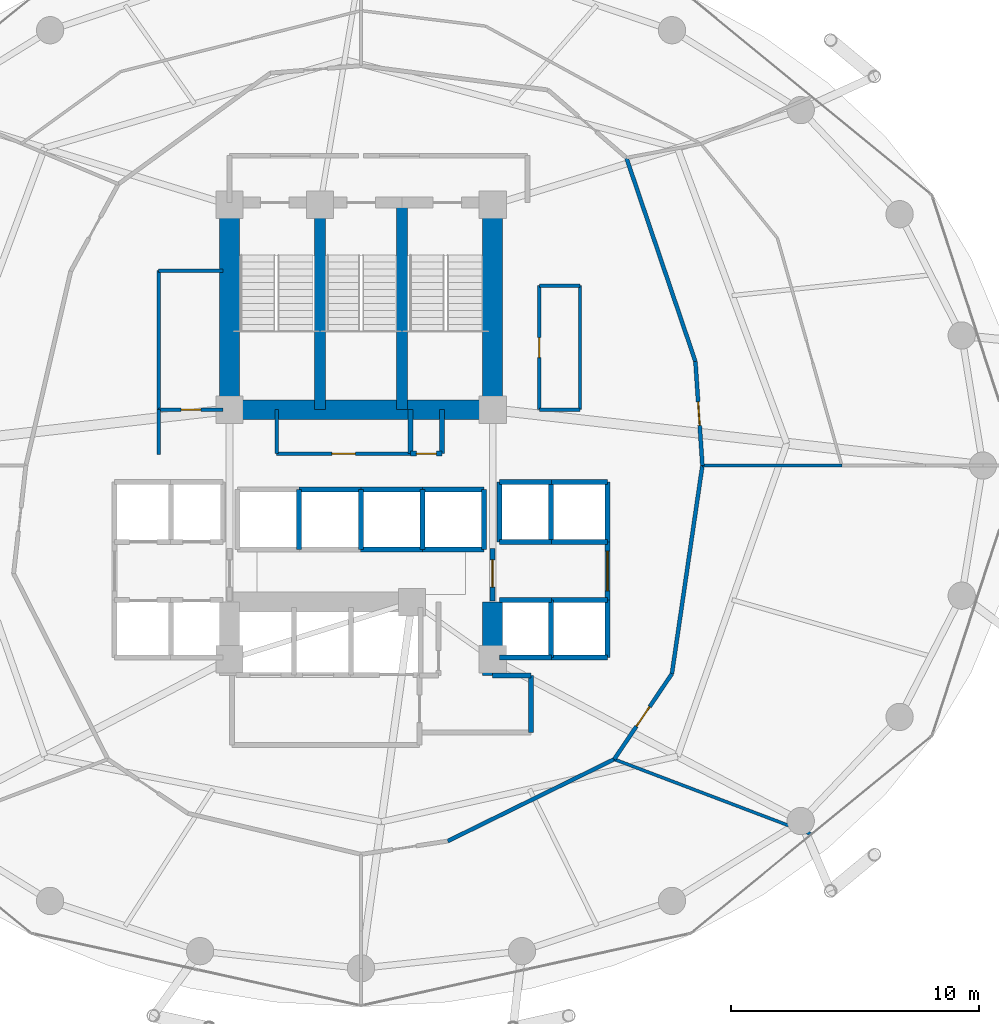
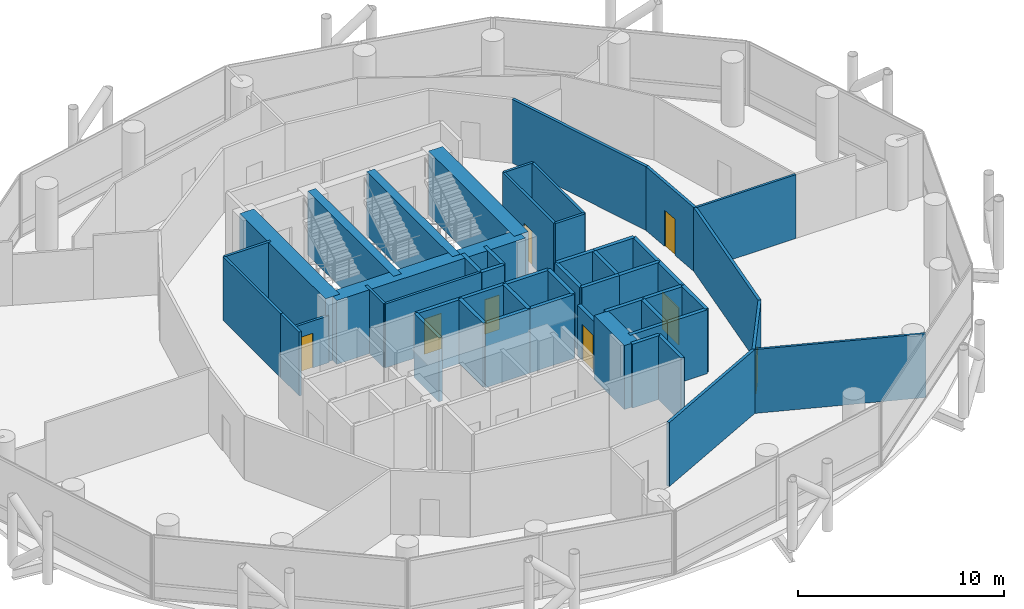
# One storey, part 22 of 25: 52 walls, 8 doors, 8 openings.
"""IFC4 building model written with IfcOpenShell, lengths in metres."""

import ifcopenshell
import ifcopenshell.guid

model = None  # the IFC model being written
_history = None  # IfcOwnerHistory: only IFC2X3 demands one
_inside = {}  # id of a spatial element -> (the spatial element, [elements in it])
_under = {}  # id of a project, library or spatial element -> (it, [spatial elements below it])
_declared = {}  # id of a project -> (the project, [libraries it declares])
_typed = {}  # id of a type object -> (the type object, [elements of that type])
_made_of = {}  # id of a material, layer set ... -> (it, [elements and type objects made of it])


def new_model(schema):
    """Start an empty IFC model of exactly this schema.

    Asked for "IFC4X3", IfcOpenShell would pick the latest addendum, in which some entities
    have other attributes; the version numbers below select the first issue.
    IFC2X3 requires an IfcOwnerHistory on every rooted entity: one is made here for all.
    """
    global model, _history
    if schema == "IFC4X3":
        model = ifcopenshell.file(schema_version=(4, 3, 0, 0))
    else:
        model = ifcopenshell.file(schema=schema)
    _inside.clear()
    _under.clear()
    _declared.clear()
    _typed.clear()
    _made_of.clear()
    _history = None
    if model.schema == "IFC2X3":
        org = make("IfcOrganization", Name="unknown")
        user = make(
            "IfcPersonAndOrganization",
            ThePerson=make("IfcPerson", FamilyName="unknown"),
            TheOrganization=org,
        )
        app = make(
            "IfcApplication",
            ApplicationDeveloper=org,
            Version="unknown",
            ApplicationFullName="unknown",
            ApplicationIdentifier="unknown",
        )
        _history = make(
            "IfcOwnerHistory",
            OwningUser=user,
            OwningApplication=app,
            ChangeAction="ADDED",
            CreationDate=0,
        )
    return model


def make(cls, **values):
    """One entity of the class cls with the attributes given. An attribute that is None is left unset."""
    return model.create_entity(
        cls, **{name: value for name, value in values.items() if value is not None}
    )


def rooted(cls, **values):
    """An entity with a GlobalId (a new one), such as an element, a storey or a relation."""
    return make(cls, GlobalId=ifcopenshell.guid.new(), OwnerHistory=_history, **values)


def si_unit(unit_type, name, prefix=None):
    """IfcSIUnit, for example si_unit("LENGTHUNIT", "METRE", prefix="MILLI")."""
    return make("IfcSIUnit", UnitType=unit_type, Prefix=prefix, Name=name)


def assignment(units):
    """IfcUnitAssignment: the units of a project."""
    return None if units is None else make("IfcUnitAssignment", Units=units)


def point(xyz):
    """IfcCartesianPoint."""
    return None if xyz is None else make("IfcCartesianPoint", Coordinates=xyz)


def direction(xyz):
    """IfcDirection."""
    return None if xyz is None else make("IfcDirection", DirectionRatios=xyz)


def frame(location, z_axis=None, x_axis=None):
    """IfcAxis2Placement3D, a coordinate frame: its origin and axes. An axis left out is left unset."""
    return make(
        "IfcAxis2Placement3D",
        Location=point(location),
        Axis=direction(z_axis),
        RefDirection=direction(x_axis),
    )


def frame_2d(location, x_axis=None):
    """IfcAxis2Placement2D, a coordinate frame in the plane: its origin and x axis."""
    return make(
        "IfcAxis2Placement2D", Location=point(location), RefDirection=direction(x_axis)
    )


def origin():
    """The frame at (0, 0, 0) with its axes left unset."""
    return frame((0.0, 0.0, 0.0))


def place(relative_to, where):
    """IfcLocalPlacement: puts the frame where relative to a parent placement (None: the world)."""
    return make(
        "IfcLocalPlacement", PlacementRelTo=relative_to, RelativePlacement=where
    )


def context(
    kind, dimensions, precision=None, world=None, true_north=None, identifier=None
):
    """IfcGeometricRepresentationContext, for example the 3D "Model" context."""
    return make(
        "IfcGeometricRepresentationContext",
        ContextIdentifier=identifier,
        ContextType=kind,
        CoordinateSpaceDimension=dimensions,
        Precision=precision,
        WorldCoordinateSystem=world,
        TrueNorth=true_north,
    )


def subcontext(parent, identifier, kind, view, scale=None):
    """IfcGeometricRepresentationSubContext, for example "Body" below "Model"."""
    return make(
        "IfcGeometricRepresentationSubContext",
        ContextIdentifier=identifier,
        ContextType=kind,
        ParentContext=parent,
        TargetScale=scale,
        TargetView=view,
    )


def project(units=None, contexts=None):
    """IfcProject with its units and contexts."""
    return rooted(
        "IfcProject",
        Name="project",
        RepresentationContexts=contexts,
        UnitsInContext=assignment(units),
    )


def spatial(cls, under=None, at=None, **own):
    """A site, building, storey or space (cls), placed at a placement, below another one or the project."""
    s = rooted(cls, ObjectPlacement=at, **own)
    if under is not None:
        _under.setdefault(under.id(), (under, []))[1].append(s)
    return s


def profile(cls, at=None, kind="AREA", **sizes):
    """A parametric profile (cls). Its sizes go by their IFC names, for example OverallWidth=200.0."""
    return make(cls, ProfileType=kind, Position=at, **sizes)


def rectangle(**sizes):
    """IfcRectangleProfileDef."""
    return profile("IfcRectangleProfileDef", **sizes)


def extrude(swept, where, along, depth):
    """IfcExtrudedAreaSolid: the profile swept, set in the frame where, extruded along a direction by depth."""
    return make(
        "IfcExtrudedAreaSolid",
        SweptArea=swept,
        Position=where,
        ExtrudedDirection=direction(along),
        Depth=depth,
    )


def shape(context_of_items, identifier, shape_type, items):
    """IfcShapeRepresentation: the items that make up one representation, for example the "Body"."""
    return make(
        "IfcShapeRepresentation",
        ContextOfItems=context_of_items,
        RepresentationIdentifier=identifier,
        RepresentationType=shape_type,
        Items=items,
    )


def material(Name=None, Category=None):
    """IfcMaterial."""
    return make("IfcMaterial", Name=Name, Category=Category)


def layer(
    of_material, thickness, ventilated=None, Name=None, Category=None, Priority=None
):
    """IfcMaterialLayer: one layer of a wall or slab, of a material (None: an air gap)."""
    return make(
        "IfcMaterialLayer",
        Material=of_material,
        LayerThickness=thickness,
        IsVentilated=ventilated,
        Name=Name,
        Category=Category,
        Priority=Priority,
    )


def layer_set(layers, Name=None):
    """IfcMaterialLayerSet."""
    return make("IfcMaterialLayerSet", MaterialLayers=layers, LayerSetName=Name)


def made_of(thing, what):
    """Note that an element or type object is made of a material, layer set ...; save() writes the relation."""
    if what is not None:
        _made_of.setdefault(what.id(), (what, []))[1].append(thing)
    return thing


def type_object(cls, material=None, **own):
    """A type object (cls), such as IfcWallType, which elements share."""
    return made_of(rooted(cls, **own), material)


def element(
    cls,
    number,
    at=None,
    inside=None,
    cuts=None,
    type_object=None,
    material=None,
    context=None,
    identifier="Body",
    shape_type=None,
    held_by="IfcProductDefinitionShape",
    body=None,
    shapes=None,
    **own,
):
    """One element of the class cls, such as IfcWall. Its Tag is "e" and its number.

    at: its placement. inside: the storey or other place that contains it. cuts: it is an
    opening in that element (IfcRelVoidsElement). A single representation is given by context,
    identifier, shape_type and body (its items); several are given by shapes. held_by: the class
    of the entity that holds the representations. save() writes the other relations.
    """
    e = rooted(cls, Tag="e%d" % number, ObjectPlacement=at, **own)
    if body is not None:
        shapes = [shape(context, identifier, shape_type, body)]
    if shapes is not None:
        e.Representation = make(held_by, Representations=shapes)
    if inside is not None:
        _inside.setdefault(inside.id(), (inside, []))[1].append(e)
    if cuts is not None:
        rooted(
            "IfcRelVoidsElement", RelatingBuildingElement=cuts, RelatedOpeningElement=e
        )
    if type_object is not None:
        _typed.setdefault(type_object.id(), (type_object, []))[1].append(e)
    return made_of(e, material)


def fill(opening, filler):
    """IfcRelFillsElement: the door or window that sits in an opening."""
    return rooted(
        "IfcRelFillsElement",
        RelatingOpeningElement=opening,
        RelatedBuildingElement=filler,
    )


def aggregate(whole, parts):
    """IfcRelAggregates: a whole, such as a stair, and the parts it consists of."""
    return rooted("IfcRelAggregates", RelatingObject=whole, RelatedObjects=parts)


def save(model, path):
    """Write the relations noted so far, then the file.

    IfcRelAggregates (storeys below a building ...), IfcRelContainedInSpatialStructure (elements
    in a storey), IfcRelDefinesByType, IfcRelAssociatesMaterial and IfcRelDeclares: one each for
    every whole, place, type object, material and project.
    """
    for whole, parts in _under.values():
        aggregate(whole, parts)
    for where, things in _inside.values():
        rooted(
            "IfcRelContainedInSpatialStructure",
            RelatedElements=things,
            RelatingStructure=where,
        )
    for kind, things in _typed.values():
        rooted("IfcRelDefinesByType", RelatedObjects=things, RelatingType=kind)
    for what, things in _made_of.values():
        rooted("IfcRelAssociatesMaterial", RelatedObjects=things, RelatingMaterial=what)
    for by, libraries in _declared.values():
        rooted("IfcRelDeclares", RelatingContext=by, RelatedDefinitions=libraries)
    model.write(path)


model = new_model("IFC4")

# Units and contexts
model_context = context("Model", 3, precision=1e-05, world=origin(), true_north=direction((0.0, 1.0)))
body_context = subcontext(model_context, "Body", "Model", "MODEL_VIEW")
ifc_project = project(units=[si_unit("LENGTHUNIT", "METRE"), si_unit("AREAUNIT", "SQUARE_METRE"), si_unit("VOLUMEUNIT", "CUBIC_METRE"), si_unit("PLANEANGLEUNIT", "RADIAN"), si_unit("MASSUNIT", "GRAM", prefix="KILO")], contexts=[model_context])

# Site, building, storey
site_placement = place(None, origin())
site = spatial("IfcSite", under=ifc_project, at=site_placement, CompositionType="ELEMENT")
building_placement = place(site_placement, origin())
building = spatial("IfcBuilding", under=site, at=building_placement, Name="Nuhasar Tower", CompositionType="ELEMENT")
storey_placement = place(building_placement, frame((0.0, 0.0, 45.300048828125)))
storey = spatial("IfcBuildingStorey", under=building, at=storey_placement, Name="L10", CompositionType="ELEMENT", Elevation=45.300048828125)

# Walls
ifc_material_1 = material(Name="Concrete C50/60", Category="concrete")
ifc_layer_1 = layer(ifc_material_1, 0.449951171875)
ifc_layer_set_1 = layer_set([ifc_layer_1], Name="Concrete C50/60")
wall_type_1 = type_object("IfcWallType", Name="WL-CORE-450", PredefinedType="SHEAR", material=ifc_layer_set_1)
for number, where, z_axis, x_axis, name in (
    (1, (37.35009765625, 29.050048828125, 0.0), (0.0, 0.0, 1.0), (0.0, 1.0, 0.0), "L10 Stairwell Shear Wall ST01-E"),
    (2, (40.64990234375, 29.050048828125, 0.0), (0.0, 0.0, 1.0), (0.0, 1.0, 0.0), "L10 Stairwell Shear Wall ST03-E"),
):
    element("IfcWall", number, at=place(storey_placement, frame(where, z_axis=z_axis, x_axis=x_axis)), inside=storey, type_object=wall_type_1, Name=name, PredefinedType="SHEAR", context=body_context, shape_type="SweptSolid", body=[
        extrude(rectangle(XDim=8.349853515625, YDim=0.449951171875, at=frame_2d((4.1748046875, 0.0))), origin(), (0.0, 0.0, 1.0), 3.7900390625),
    ])
ifc_material_2 = material(Name="Concrete C80/95", Category="concrete")
ifc_layer_2 = layer(ifc_material_2, 0.800048828125)
ifc_layer_set_2 = layer_set([ifc_layer_2], Name="Concrete C80/95")
wall_type_2 = type_object("IfcWallType", Name="WL-CORE-800", PredefinedType="SHEAR", material=ifc_layer_set_2)
for number, where, z_axis, x_axis, name in (
    (3, (33.699951171875, 29.050048828125, 0.0), (0.0, 0.0, 1.0), (0.0, 1.0, 0.0), "L10 Core Shear Wall CW-NW CW-800"),
    (4, (44.300048828125, 29.050048828125, 0.0), (0.0, 0.0, 1.0), (0.0, 1.0, 0.0), "L10 Core Shear Wall CW-NE CW-800"),
):
    element("IfcWall", number, at=place(storey_placement, frame(where, z_axis=z_axis, x_axis=x_axis)), inside=storey, type_object=wall_type_2, Name=name, PredefinedType="SHEAR", context=body_context, shape_type="SweptSolid", body=[
        extrude(rectangle(XDim=8.349853515625, YDim=0.800048828125, at=frame_2d((4.1748046875, 0.0))), origin(), (0.0, 0.0, 1.0), 3.7900390625),
    ])
wall_1_placement = place(storey_placement, frame((44.300048828125, 18.35009765625, 0.0), z_axis=(0.0, 0.0, 1.0), x_axis=(0.0, 1.0, 0.0)))
element("IfcWall", 5, at=wall_1_placement, inside=storey, type_object=wall_type_2, Name="L10 Core Shear Wall CW-SE CW-800", PredefinedType="SHEAR", context=body_context, shape_type="SweptSolid", body=[
    extrude(rectangle(XDim=2.949951171875, YDim=0.800048828125, at=frame_2d((1.47509765625, 0.0))), origin(), (0.0, 0.0, 1.0), 3.7900390625),
])
wall_2_placement = place(storey_placement, frame((33.699951171875, 29.050048828125, 0.0), z_axis=(0.0, 0.0, 1.0), x_axis=(1.0, 0.0, 0.0)))
element("IfcWall", 6, at=wall_2_placement, inside=storey, type_object=wall_type_2, Name="L10 Core Shear Wall CW-N1 CW-800", PredefinedType="SHEAR", context=body_context, shape_type="SweptSolid", body=[
    extrude(rectangle(XDim=10.60009765625, YDim=0.800048828125, at=frame_2d((5.300048828125, 0.0))), origin(), (0.0, 0.0, 1.0), 3.7900390625),
])

# Wall, opening, door
ifc_material_3 = material(Name="Gypsum Board", Category="gypsum")
ifc_layer_3 = layer(ifc_material_3, 0.159912109375)
ifc_layer_set_3 = layer_set([ifc_layer_3], Name="Gypsum Board")
wall_type_3 = type_object("IfcWallType", Name="WL-CORR-160", PredefinedType="PARTITIONING", material=ifc_layer_set_3)
wall_3_placement = place(storey_placement, frame((52.469970703125, 30.987060546875, 0.0), z_axis=(0.0, 0.0, 1.0), x_axis=(0.06673138835, -0.997770976632, 0.0)))
wall_3 = element("IfcWall", 7, at=wall_3_placement, inside=storey, type_object=wall_type_3, Name="L10 Interior Partition CORR-00", PredefinedType="PARTITIONING", context=body_context, shape_type="SweptSolid", body=[
    extrude(rectangle(XDim=4.1962890625, YDim=0.159912109375, at=frame_2d((2.09814453125, 0.0))), origin(), (0.0, 0.0, 1.0), 3.7900390625),
])
opening_1_placement = place(wall_3_placement, frame((1.623046875, 0.0, 0.0)))
opening_1 = element("IfcOpeningElement", 8, at=opening_1_placement, cuts=wall_3, Name="Opening DO-01", PredefinedType="OPENING", context=body_context, shape_type="SweptSolid", body=[
    extrude(rectangle(XDim=0.949951171875, YDim=2.14990234375, at=frame_2d((0.47509765625, 1.074951171875))), frame((0.0, 0.08984375, 0.0), z_axis=(0.0, -1.0, 0.0), x_axis=(1.0, 0.0, 0.0)), (0.0, 0.0, 1.0), 0.179931640625),
])
ifc_material_4 = material(Name="Timber Oak", Category="wood")
door_type_1 = type_object("IfcDoorType", Name="DR-OFFICE-FD30-950", OperationType="NOTDEFINED", PredefinedType="DOOR", material=ifc_material_4)
door_1_placement = place(opening_1_placement, origin())
door_1 = element("IfcDoor", 9, at=door_1_placement, inside=storey, type_object=door_type_1, Name="L10 Legal Chambers A Entry Door", OperationType="SINGLE_SWING_LEFT", OverallHeight=2.14990234375, OverallWidth=0.949951171875, PredefinedType="DOOR", context=body_context, shape_type="SweptSolid", body=[
    extrude(rectangle(XDim=0.949951171875, YDim=2.14990234375, at=frame_2d((0.47509765625, 1.074951171875))), frame((0.0, 0.02490234375, 0.0), z_axis=(0.0, -1.0, 0.0), x_axis=(1.0, 0.0, 0.0)), (0.0, 0.0, 1.0), 0.050048828125),
])
fill(opening_1, door_1)

# Walls
wall_4_placement = place(storey_placement, frame((52.469970703125, 30.987060546875, 0.0), z_axis=(0.0, 0.0, 1.0), x_axis=(-0.320794809252, 0.947148716072, 0.0)))
element("IfcWall", 10, at=wall_4_placement, inside=storey, type_object=wall_type_3, Name="L10 Interior Partition CORR-02", PredefinedType="PARTITIONING", context=body_context, shape_type="SweptSolid", body=[
    extrude(rectangle(XDim=8.669189453125, YDim=0.159912109375, at=frame_2d((4.33447265625, 0.0))), origin(), (0.0, 0.0, 1.0), 3.7900390625),
])
wall_5_placement = place(storey_placement, frame((42.493896484375, 11.674072265625, 0.0), z_axis=(0.0, 0.0, 1.0), x_axis=(0.897439047431, 0.441138477291, 0.0)))
element("IfcWall", 11, at=wall_5_placement, inside=storey, type_object=wall_type_3, Name="L10 Interior Partition CORR-38", PredefinedType="PARTITIONING", context=body_context, shape_type="SweptSolid", body=[
    extrude(rectangle(XDim=7.471435546875, YDim=0.159912109375, at=frame_2d((3.73583984375, 0.0))), origin(), (0.0, 0.0, 1.0), 3.7900390625),
])

# Wall, opening, door
wall_6_placement = place(storey_placement, frame((51.52197265625, 18.4140625, 0.0), z_axis=(0.0, 0.0, 1.0), x_axis=(-0.559181123292, -0.829045518264, 0.0)))
wall_6 = element("IfcWall", 12, at=wall_6_placement, inside=storey, type_object=wall_type_3, Name="L10 Interior Partition CORR-42", PredefinedType="PARTITIONING", context=body_context, shape_type="SweptSolid", body=[
    extrude(rectangle(XDim=4.154296875, YDim=0.159912109375, at=frame_2d((2.0771484375, 0.0))), origin(), (0.0, 0.0, 1.0), 3.7900390625),
])
opening_2_placement = place(wall_6_placement, frame((1.60205078125, 0.0, 0.0)))
opening_2 = element("IfcOpeningElement", 13, at=opening_2_placement, cuts=wall_6, Name="Opening DO-01", PredefinedType="OPENING", context=body_context, shape_type="SweptSolid", body=[
    extrude(rectangle(XDim=0.949951171875, YDim=2.14990234375, at=frame_2d((0.47509765625, 1.074951171875))), frame((0.0, 0.08984375, 0.0), z_axis=(0.0, -1.0, 0.0), x_axis=(1.0, 0.0, 0.0)), (0.0, 0.0, 1.0), 0.179931640625),
])
door_2_placement = place(opening_2_placement, origin())
door_2 = element("IfcDoor", 14, at=door_2_placement, inside=storey, type_object=door_type_1, Name="L10 Evidence Filing Store Entry Door", OperationType="SINGLE_SWING_LEFT", OverallHeight=2.14990234375, OverallWidth=0.949951171875, PredefinedType="DOOR", context=body_context, shape_type="SweptSolid", body=[
    extrude(rectangle(XDim=0.949951171875, YDim=2.14990234375, at=frame_2d((0.47509765625, 1.074951171875))), frame((0.0, 0.02490234375, 0.0), z_axis=(0.0, -1.0, 0.0), x_axis=(1.0, 0.0, 0.0)), (0.0, 0.0, 1.0), 0.050048828125),
])
fill(opening_2, door_2)

# Wall
wall_7_placement = place(storey_placement, frame((51.52197265625, 18.4140625, 0.0), z_axis=(0.0, 0.0, 1.0), x_axis=(0.14489272673, 0.989447369869, 0.0)))
element("IfcWall", 15, at=wall_7_placement, inside=storey, type_object=wall_type_3, Name="L10 Interior Partition CORR-44", PredefinedType="PARTITIONING", context=body_context, shape_type="SweptSolid", body=[
    extrude(rectangle(XDim=8.475341796875, YDim=0.159912109375, at=frame_2d((4.23779296875, 0.0))), origin(), (0.0, 0.0, 1.0), 3.7900390625),
])

# Wall, opening, door
ifc_material_5 = material(Name="Concrete C45/55", Category="concrete")
ifc_layer_4 = layer(ifc_material_5, 0.199951171875)
ifc_layer_set_4 = layer_set([ifc_layer_4], Name="Concrete C45/55")
wall_type_4 = type_object("IfcWallType", Name="WL-LOBBY-200", PredefinedType="SOLIDWALL", material=ifc_layer_set_4)
wall_8_placement = place(storey_placement, frame((48.929931640625, 21.3798828125, 0.0), z_axis=(0.0, 0.0, 1.0), x_axis=(0.0, 1.0, 0.0)))
wall_8 = element("IfcWall", 16, at=wall_8_placement, inside=storey, type_object=wall_type_4, Name="L10 Interior Partition LLBM-E", PredefinedType="SOLIDWALL", context=body_context, shape_type="SweptSolid", body=[
    extrude(rectangle(XDim=2.340087890625, YDim=0.199951171875, at=frame_2d((1.169921875, 0.0))), origin(), (0.0, 0.0, 1.0), 3.7900390625),
])
opening_3_placement = place(wall_8_placement, frame((0.3701171875, 0.0, 0.0)))
opening_3 = element("IfcOpeningElement", 17, at=opening_3_placement, cuts=wall_8, Name="Opening DC-01", PredefinedType="OPENING", context=body_context, shape_type="SweptSolid", body=[
    extrude(rectangle(XDim=1.60009765625, YDim=2.199951171875, at=frame_2d((0.800048828125, 1.10009765625))), frame((0.0, 0.10986328125, 0.0), z_axis=(0.0, -1.0, 0.0), x_axis=(1.0, 0.0, 0.0)), (0.0, 0.0, 1.0), 0.219970703125),
])
ifc_material_6 = material(Name="Steel S355", Category="steel")
door_type_2 = type_object("IfcDoorType", Name="DR-CORR-FD60-1600", OperationType="DOUBLE_DOOR_SINGLE_SWING", PredefinedType="DOOR", material=ifc_material_6)
door_3_placement = place(opening_3_placement, origin())
door_3 = element("IfcDoor", 18, at=door_3_placement, inside=storey, type_object=door_type_2, Name="L10 Mid-Rise Lift Lobby East Entry", OperationType="DOUBLE_DOOR_SINGLE_SWING", OverallHeight=2.199951171875, OverallWidth=1.60009765625, PredefinedType="DOOR", context=body_context, shape_type="SweptSolid", body=[
    extrude(rectangle(XDim=1.60009765625, YDim=2.199951171875, at=frame_2d((0.800048828125, 1.10009765625))), frame((0.0, 0.02490234375, 0.0), z_axis=(0.0, -1.0, 0.0), x_axis=(1.0, 0.0, 0.0)), (0.0, 0.0, 1.0), 0.050048828125),
])
fill(opening_3, door_3)

wall_9_placement = place(storey_placement, frame((44.300048828125, 21.35009765625, 0.0), z_axis=(0.0, 0.0, 1.0), x_axis=(0.0, 1.0, 0.0)))
wall_9 = element("IfcWall", 19, at=wall_9_placement, inside=storey, type_object=wall_type_4, Name="L10 Interior Partition LLBH-E", PredefinedType="SOLIDWALL", context=body_context, shape_type="SweptSolid", body=[
    extrude(rectangle(XDim=2.099853515625, YDim=0.199951171875, at=frame_2d((1.0498046875, 0.0))), origin(), (0.0, 0.0, 1.0), 3.010009765625),
])
opening_4_placement = place(wall_9_placement, frame((0.550048828125, 0.0, 0.0)))
opening_4 = element("IfcOpeningElement", 20, at=opening_4_placement, cuts=wall_9, Name="Opening DS-02", PredefinedType="OPENING", context=body_context, shape_type="SweptSolid", body=[
    extrude(rectangle(XDim=1.10009765625, YDim=2.14990234375, at=frame_2d((0.550048828125, 1.074951171875))), frame((0.0, 0.10986328125, 0.0), z_axis=(0.0, -1.0, 0.0), x_axis=(1.0, 0.0, 0.0)), (0.0, 0.0, 1.0), 0.219970703125),
])
door_type_3 = type_object("IfcDoorType", Name="DR-FFL-FD120-1100", OperationType="NOTDEFINED", PredefinedType="DOOR", material=ifc_material_6)
door_4_placement = place(opening_4_placement, origin())
door_4 = element("IfcDoor", 21, at=door_4_placement, inside=storey, type_object=door_type_3, Name="L10 High-Rise Lobby East Door", OperationType="SINGLE_SWING_RIGHT", OverallHeight=2.14990234375, OverallWidth=1.10009765625, PredefinedType="DOOR", context=body_context, shape_type="SweptSolid", body=[
    extrude(rectangle(XDim=1.10009765625, YDim=2.14990234375, at=frame_2d((0.550048828125, 1.074951171875))), frame((0.0, 0.02490234375, 0.0), z_axis=(0.0, -1.0, 0.0), x_axis=(1.0, 0.0, 0.0)), (0.0, 0.0, 1.0), 0.050048828125),
])
fill(opening_4, door_4)

# Walls
wall_10_placement = place(storey_placement, frame((45.85009765625, 16.050048828125, 0.0), z_axis=(0.0, 0.0, 1.0), x_axis=(0.0, 1.0, 0.0)))
element("IfcWall", 22, at=wall_10_placement, inside=storey, type_object=wall_type_4, Name="L10 Interior Partition SVLV-E", PredefinedType="SOLIDWALL", context=body_context, shape_type="SweptSolid", body=[
    extrude(rectangle(XDim=2.300048828125, YDim=0.199951171875, at=frame_2d((1.14990234375, 0.0))), origin(), (0.0, 0.0, 1.0), 3.7900390625),
])
wall_11_placement = place(storey_placement, frame((44.300048828125, 18.35009765625, 0.0), z_axis=(0.0, 0.0, 1.0), x_axis=(1.0, 0.0, 0.0)))
element("IfcWall", 23, at=wall_11_placement, inside=storey, type_object=wall_type_4, Name="L10 Interior Partition SVLV-N", PredefinedType="SOLIDWALL", context=body_context, shape_type="SweptSolid", body=[
    extrude(rectangle(XDim=1.550048828125, YDim=0.199951171875, at=frame_2d((0.77490234375, 0.0))), origin(), (0.0, 0.0, 1.0), 3.7900390625),
])
ifc_layer_5 = layer(ifc_material_3, 0.125)
ifc_layer_set_5 = layer_set([ifc_layer_5], Name="Gypsum Board")
wall_type_5 = type_object("IfcWallType", Name="WL-PART-125", PredefinedType="PARTITIONING", material=ifc_layer_set_5)
wall_12_placement = place(storey_placement, frame((52.75, 26.800048828125, 0.0), z_axis=(0.0, 0.0, 1.0), x_axis=(1.0, 0.0, 0.0)))
element("IfcWall", 24, at=wall_12_placement, inside=storey, type_object=wall_type_5, Name="L10 Interior Partition ORAD-00-S1", PredefinedType="PARTITIONING", context=body_context, shape_type="SweptSolid", body=[
    extrude(rectangle(XDim=5.616943359375, YDim=0.125, at=frame_2d((2.80859375, 0.0))), origin(), (0.0, 0.0, 1.0), 3.7900390625),
])
wall_13_placement = place(storey_placement, frame((49.198974609375, 14.969970703125, 0.0), z_axis=(0.0, 0.0, 1.0), x_axis=(0.934775541041, -0.355238916605, 0.0)))
element("IfcWall", 25, at=wall_13_placement, inside=storey, type_object=wall_type_5, Name="L10 Interior Partition ORAD-42", PredefinedType="PARTITIONING", context=body_context, shape_type="SweptSolid", body=[
    extrude(rectangle(XDim=8.470458984375, YDim=0.125, at=frame_2d((4.2353515625, 0.0))), origin(), (0.0, 0.0, 1.0), 3.7900390625),
])
ifc_layer_6 = layer(ifc_material_5, 0.199951171875)
ifc_layer_set_6 = layer_set([ifc_layer_6], Name="Concrete C45/55")
wall_type_6 = type_object("IfcWallType", Name="WL-SHAFT-200", PredefinedType="SOLIDWALL", material=ifc_layer_set_6)
for number, where, z_axis, x_axis, name in (
    (26, (41.0, 27.280029296875, 0.0), (0.0, 0.0, 1.0), (0.0, 1.0, 0.0), "L10 Interior Partition RSRN-W"),
    (27, (42.260009765625, 27.280029296875, 0.0), (0.0, 0.0, 1.0), (0.0, 1.0, 0.0), "L10 Interior Partition RSRN-E"),
):
    element("IfcWall", number, at=place(storey_placement, frame(where, z_axis=z_axis, x_axis=x_axis)), inside=storey, type_object=wall_type_6, Name=name, PredefinedType="SOLIDWALL", context=body_context, shape_type="SweptSolid", body=[
        extrude(rectangle(XDim=1.77001953125, YDim=0.199951171875, at=frame_2d((0.885009765625, 0.0))), origin(), (0.0, 0.0, 1.0), 3.7900390625),
    ])

# Wall, opening, door
wall_14_placement = place(storey_placement, frame((41.0, 27.280029296875, 0.0), z_axis=(0.0, 0.0, 1.0), x_axis=(1.0, 0.0, 0.0)))
wall_14 = element("IfcWall", 28, at=wall_14_placement, inside=storey, type_object=wall_type_6, Name="L10 Interior Partition RSRN-S", PredefinedType="SOLIDWALL", context=body_context, shape_type="SweptSolid", body=[
    extrude(rectangle(XDim=1.260009765625, YDim=0.199951171875, at=frame_2d((0.6298828125, 0.0))), origin(), (0.0, 0.0, 1.0), 3.7900390625),
])
opening_5_placement = place(wall_14_placement, frame((0.22998046875, 0.0, 0.0)))
opening_5 = element("IfcOpeningElement", 29, at=opening_5_placement, cuts=wall_14, Name="Opening DM-01", PredefinedType="OPENING", context=body_context, shape_type="SweptSolid", body=[
    extrude(rectangle(XDim=0.800048828125, YDim=2.050048828125, at=frame_2d((0.39990234375, 1.02490234375))), frame((0.0, 0.10986328125, 0.0), z_axis=(0.0, -1.0, 0.0), x_axis=(1.0, 0.0, 0.0)), (0.0, 0.0, 1.0), 0.219970703125),
])
door_type_4 = type_object("IfcDoorType", Name="DR-RISER-FD60-800", OperationType="NOTDEFINED", PredefinedType="DOOR", material=ifc_material_6)
door_5_placement = place(opening_5_placement, origin())
door_5 = element("IfcDoor", 30, at=door_5_placement, inside=storey, type_object=door_type_4, Name="L10 North Smoke Riser Door", OperationType="SINGLE_SWING_RIGHT", OverallHeight=2.050048828125, OverallWidth=0.800048828125, PredefinedType="DOOR", context=body_context, shape_type="SweptSolid", body=[
    extrude(rectangle(XDim=0.800048828125, YDim=2.050048828125, at=frame_2d((0.39990234375, 1.02490234375))), frame((0.0, 0.02490234375, 0.0), z_axis=(0.0, -1.0, 0.0), x_axis=(1.0, 0.0, 0.0)), (0.0, 0.0, 1.0), 0.050048828125),
])
fill(opening_5, door_5)

# Walls
for number, where, z_axis, x_axis, name in (
    (31, (44.570068359375, 23.719970703125, 0.0), (0.0, 0.0, 1.0), (1.0, 0.0, 0.0), "L10 Interior Partition SHF-PL-M01-S"),
    (32, (44.570068359375, 26.1298828125, 0.0), (0.0, 0.0, 1.0), (1.0, 0.0, 0.0), "L10 Interior Partition SHF-PL-M01-N"),
):
    element("IfcWall", number, at=place(storey_placement, frame(where, z_axis=z_axis, x_axis=x_axis)), inside=storey, type_object=wall_type_6, Name=name, PredefinedType="SOLIDWALL", context=body_context, shape_type="SweptSolid", body=[
        extrude(rectangle(XDim=2.10986328125, YDim=0.199951171875, at=frame_2d((1.054931640625, 0.0))), origin(), (0.0, 0.0, 1.0), 3.7900390625),
    ])
for number, where, z_axis, x_axis, name in (
    (33, (44.570068359375, 23.719970703125, 0.0), (0.0, 0.0, 1.0), (0.0, 1.0, 0.0), "L10 Interior Partition SHF-PL-M01-W"),
    (34, (46.64990234375, 23.719970703125, 0.0), (0.0, 0.0, 1.0), (0.0, 1.0, 0.0), "L10 Interior Partition SHF-PL-M01-E"),
):
    element("IfcWall", number, at=place(storey_placement, frame(where, z_axis=z_axis, x_axis=x_axis)), inside=storey, type_object=wall_type_6, Name=name, PredefinedType="SOLIDWALL", context=body_context, shape_type="SweptSolid", body=[
        extrude(rectangle(XDim=2.409912109375, YDim=0.199951171875, at=frame_2d((1.205078125, 0.0))), origin(), (0.0, 0.0, 1.0), 3.7900390625),
    ])
for number, where, z_axis, x_axis, name in (
    (35, (46.6201171875, 23.719970703125, 0.0), (0.0, 0.0, 1.0), (1.0, 0.0, 0.0), "L10 Interior Partition SHF-PL-M02-S"),
    (36, (46.6201171875, 26.1298828125, 0.0), (0.0, 0.0, 1.0), (1.0, 0.0, 0.0), "L10 Interior Partition SHF-PL-M02-N"),
):
    element("IfcWall", number, at=place(storey_placement, frame(where, z_axis=z_axis, x_axis=x_axis)), inside=storey, type_object=wall_type_6, Name=name, PredefinedType="SOLIDWALL", context=body_context, shape_type="SweptSolid", body=[
        extrude(rectangle(XDim=2.309814453125, YDim=0.199951171875, at=frame_2d((1.15478515625, 0.0))), origin(), (0.0, 0.0, 1.0), 3.7900390625),
    ])
wall_15_placement = place(storey_placement, frame((48.929931640625, 23.719970703125, 0.0), z_axis=(0.0, 0.0, 1.0), x_axis=(0.0, 1.0, 0.0)))
element("IfcWall", 37, at=wall_15_placement, inside=storey, type_object=wall_type_6, Name="L10 Interior Partition SHF-PL-M02-E", PredefinedType="SOLIDWALL", context=body_context, shape_type="SweptSolid", body=[
    extrude(rectangle(XDim=2.409912109375, YDim=0.199951171875, at=frame_2d((1.205078125, 0.0))), origin(), (0.0, 0.0, 1.0), 3.7900390625),
])
for number, where, z_axis, x_axis, name in (
    (38, (44.570068359375, 19.070068359375, 0.0), (0.0, 0.0, 1.0), (1.0, 0.0, 0.0), "L10 Interior Partition SHF-PL-M03-S"),
    (39, (44.570068359375, 21.3798828125, 0.0), (0.0, 0.0, 1.0), (1.0, 0.0, 0.0), "L10 Interior Partition SHF-PL-M03-N"),
):
    element("IfcWall", number, at=place(storey_placement, frame(where, z_axis=z_axis, x_axis=x_axis)), inside=storey, type_object=wall_type_6, Name=name, PredefinedType="SOLIDWALL", context=body_context, shape_type="SweptSolid", body=[
        extrude(rectangle(XDim=2.10986328125, YDim=0.199951171875, at=frame_2d((1.054931640625, 0.0))), origin(), (0.0, 0.0, 1.0), 3.7900390625),
    ])
for number, where, z_axis, x_axis, name in (
    (40, (46.64990234375, 19.070068359375, 0.0), (0.0, 0.0, 1.0), (0.0, 1.0, 0.0), "L10 Interior Partition SHF-PL-M03-E"),
    (41, (46.6201171875, 19.070068359375, 0.0), (0.0, 0.0, 1.0), (1.0, 0.0, 0.0), "L10 Interior Partition SHF-PL-M04-S"),
    (42, (46.6201171875, 21.3798828125, 0.0), (0.0, 0.0, 1.0), (1.0, 0.0, 0.0), "L10 Interior Partition SHF-PL-M04-N"),
    (43, (48.929931640625, 19.070068359375, 0.0), (0.0, 0.0, 1.0), (0.0, 1.0, 0.0), "L10 Interior Partition SHF-PL-M04-E"),
):
    element("IfcWall", number, at=place(storey_placement, frame(where, z_axis=z_axis, x_axis=x_axis)), inside=storey, type_object=wall_type_6, Name=name, PredefinedType="SOLIDWALL", context=body_context, shape_type="SweptSolid", body=[
        extrude(rectangle(XDim=2.309814453125, YDim=0.199951171875, at=frame_2d((1.15478515625, 0.0))), origin(), (0.0, 0.0, 1.0), 3.7900390625),
    ])
wall_16_placement = place(storey_placement, frame((36.510009765625, 23.419921875, 0.0), z_axis=(0.0, 0.0, 1.0), x_axis=(0.0, 1.0, 0.0)))
element("IfcWall", 44, at=wall_16_placement, inside=storey, type_object=wall_type_6, Name="L10 Interior Partition SHF-PL-H01-E", PredefinedType="SOLIDWALL", context=body_context, shape_type="SweptSolid", body=[
    extrude(rectangle(XDim=2.41015625, YDim=0.199951171875, at=frame_2d((1.205078125, 0.0))), origin(), (0.0, 0.0, 1.0), 3.7900390625),
])
wall_17_placement = place(storey_placement, frame((36.5, 25.830078125, 0.0), z_axis=(0.0, 0.0, 1.0), x_axis=(1.0, 0.0, 0.0)))
element("IfcWall", 45, at=wall_17_placement, inside=storey, type_object=wall_type_6, Name="L10 Interior Partition SHF-PL-H02-N", PredefinedType="SOLIDWALL", context=body_context, shape_type="SweptSolid", body=[
    extrude(rectangle(XDim=2.5, YDim=0.199951171875, at=frame_2d((1.25, 0.0))), origin(), (0.0, 0.0, 1.0), 3.7900390625),
])
wall_18_placement = place(storey_placement, frame((38.989990234375, 23.419921875, 0.0), z_axis=(0.0, 0.0, 1.0), x_axis=(0.0, 1.0, 0.0)))
element("IfcWall", 46, at=wall_18_placement, inside=storey, type_object=wall_type_6, Name="L10 Interior Partition SHF-PL-H02-E", PredefinedType="SOLIDWALL", context=body_context, shape_type="SweptSolid", body=[
    extrude(rectangle(XDim=2.41015625, YDim=0.199951171875, at=frame_2d((1.205078125, 0.0))), origin(), (0.0, 0.0, 1.0), 3.7900390625),
])
for number, where, z_axis, x_axis, name in (
    (47, (38.97998046875, 23.419921875, 0.0), (0.0, 0.0, 1.0), (1.0, 0.0, 0.0), "L10 Interior Partition SHF-PL-H03-S"),
    (48, (38.97998046875, 25.830078125, 0.0), (0.0, 0.0, 1.0), (1.0, 0.0, 0.0), "L10 Interior Partition SHF-PL-H03-N"),
):
    element("IfcWall", number, at=place(storey_placement, frame(where, z_axis=z_axis, x_axis=x_axis)), inside=storey, type_object=wall_type_6, Name=name, PredefinedType="SOLIDWALL", context=body_context, shape_type="SweptSolid", body=[
        extrude(rectangle(XDim=2.5, YDim=0.199951171875, at=frame_2d((1.25, 0.0))), origin(), (0.0, 0.0, 1.0), 3.7900390625),
    ])
wall_19_placement = place(storey_placement, frame((41.469970703125, 23.419921875, 0.0), z_axis=(0.0, 0.0, 1.0), x_axis=(0.0, 1.0, 0.0)))
element("IfcWall", 49, at=wall_19_placement, inside=storey, type_object=wall_type_6, Name="L10 Interior Partition SHF-PL-H03-E", PredefinedType="SOLIDWALL", context=body_context, shape_type="SweptSolid", body=[
    extrude(rectangle(XDim=2.41015625, YDim=0.199951171875, at=frame_2d((1.205078125, 0.0))), origin(), (0.0, 0.0, 1.0), 3.7900390625),
])
for number, where, z_axis, x_axis, name in (
    (50, (41.4599609375, 23.419921875, 0.0), (0.0, 0.0, 1.0), (1.0, 0.0, 0.0), "L10 Interior Partition SHF-PL-H04-S"),
    (51, (41.4599609375, 25.830078125, 0.0), (0.0, 0.0, 1.0), (1.0, 0.0, 0.0), "L10 Interior Partition SHF-PL-H04-N"),
):
    element("IfcWall", number, at=place(storey_placement, frame(where, z_axis=z_axis, x_axis=x_axis)), inside=storey, type_object=wall_type_6, Name=name, PredefinedType="SOLIDWALL", context=body_context, shape_type="SweptSolid", body=[
        extrude(rectangle(XDim=2.5, YDim=0.199951171875, at=frame_2d((1.25, 0.0))), origin(), (0.0, 0.0, 1.0), 3.7900390625),
    ])
wall_20_placement = place(storey_placement, frame((43.9599609375, 23.419921875, 0.0), z_axis=(0.0, 0.0, 1.0), x_axis=(0.0, 1.0, 0.0)))
element("IfcWall", 52, at=wall_20_placement, inside=storey, type_object=wall_type_6, Name="L10 Interior Partition SHF-PL-H04-E", PredefinedType="SOLIDWALL", context=body_context, shape_type="SweptSolid", body=[
    extrude(rectangle(XDim=2.41015625, YDim=0.199951171875, at=frame_2d((1.205078125, 0.0))), origin(), (0.0, 0.0, 1.0), 3.7900390625),
])
ifc_material_7 = material(Name="Concrete C40/50 precast", Category="concrete")
ifc_layer_7 = layer(ifc_material_7, 0.139892578125)
ifc_layer_set_7 = layer_set([ifc_layer_7], Name="Concrete C40/50 precast")
wall_type_7 = type_object("IfcWallType", Name="WL-WET-140", PredefinedType="PARTITIONING", material=ifc_layer_set_7)
wall_21_placement = place(storey_placement, frame((35.60009765625, 27.280029296875, 0.0), z_axis=(0.0, 0.0, 1.0), x_axis=(0.0, 1.0, 0.0)))
element("IfcWall", 53, at=wall_21_placement, inside=storey, type_object=wall_type_7, Name="L10 Interior Partition CSVC-W", PredefinedType="PARTITIONING", context=body_context, shape_type="SweptSolid", body=[
    extrude(rectangle(XDim=1.77001953125, YDim=0.139892578125, at=frame_2d((0.885009765625, 0.0))), origin(), (0.0, 0.0, 1.0), 3.7900390625),
])

# Wall, opening, door
wall_22_placement = place(storey_placement, frame((35.60009765625, 27.280029296875, 0.0), z_axis=(0.0, 0.0, 1.0), x_axis=(1.0, 0.0, 0.0)))
wall_22 = element("IfcWall", 54, at=wall_22_placement, inside=storey, type_object=wall_type_7, Name="L10 Interior Partition CSVC-S", PredefinedType="PARTITIONING", context=body_context, shape_type="SweptSolid", body=[
    extrude(rectangle(XDim=5.39990234375, YDim=0.139892578125, at=frame_2d((2.699951171875, 0.0))), origin(), (0.0, 0.0, 1.0), 3.7900390625),
])
opening_6_placement = place(wall_22_placement, frame((2.22509765625, 0.0, 0.0)))
opening_6 = element("IfcOpeningElement", 55, at=opening_6_placement, cuts=wall_22, Name="Opening DA-01", PredefinedType="OPENING", context=body_context, shape_type="SweptSolid", body=[
    extrude(rectangle(XDim=0.949951171875, YDim=2.10009765625, at=frame_2d((0.47509765625, 1.050048828125))), frame((0.0, 0.080078125, 0.0), z_axis=(0.0, -1.0, 0.0), x_axis=(1.0, 0.0, 0.0)), (0.0, 0.0, 1.0), 0.159912109375),
])
door_type_5 = type_object("IfcDoorType", Name="DR-ACCWC-950", OperationType="NOTDEFINED", PredefinedType="DOOR", material=ifc_material_4)
door_6_placement = place(opening_6_placement, origin())
door_6 = element("IfcDoor", 56, at=door_6_placement, inside=storey, type_object=door_type_5, Name="L10 Core Accessible Restroom Door", OperationType="SINGLE_SWING_RIGHT", OverallHeight=2.10009765625, OverallWidth=0.949951171875, PredefinedType="DOOR", context=body_context, shape_type="SweptSolid", body=[
    extrude(rectangle(XDim=0.949951171875, YDim=2.10009765625, at=frame_2d((0.47509765625, 1.050048828125))), frame((0.0, 0.02490234375, 0.0), z_axis=(0.0, -1.0, 0.0), x_axis=(1.0, 0.0, 0.0)), (0.0, 0.0, 1.0), 0.050048828125),
])
fill(opening_6, door_6)

# Wall
wall_23_placement = place(storey_placement, frame((30.85009765625, 27.239990234375, 0.0), z_axis=(0.0, 0.0, 1.0), x_axis=(0.0, 1.0, 0.0)))
element("IfcWall", 57, at=wall_23_placement, inside=storey, type_object=wall_type_7, Name="L10 Interior Partition K3-FOY-W", PredefinedType="PARTITIONING", context=body_context, shape_type="SweptSolid", body=[
    extrude(rectangle(XDim=1.81005859375, YDim=0.139892578125, at=frame_2d((0.905029296875, 0.0))), origin(), (0.0, 0.0, 1.0), 3.7900390625),
])

# Wall, opening, door
wall_24_placement = place(storey_placement, frame((30.85009765625, 29.050048828125, 0.0), z_axis=(0.0, 0.0, 1.0), x_axis=(1.0, 0.0, 0.0)))
wall_24 = element("IfcWall", 58, at=wall_24_placement, inside=storey, type_object=wall_type_7, Name="L10 Interior Partition K3-NW-S", PredefinedType="PARTITIONING", context=body_context, shape_type="SweptSolid", body=[
    extrude(rectangle(XDim=2.599853515625, YDim=0.139892578125, at=frame_2d((1.2998046875, 0.0))), origin(), (0.0, 0.0, 1.0), 2.780029296875),
])
opening_7_placement = place(wall_24_placement, frame((0.89990234375, 0.0, 0.0)))
opening_7 = element("IfcOpeningElement", 59, at=opening_7_placement, cuts=wall_24, Name="Opening DM-01", PredefinedType="OPENING", context=body_context, shape_type="SweptSolid", body=[
    extrude(rectangle(XDim=0.800048828125, YDim=2.050048828125, at=frame_2d((0.39990234375, 1.02490234375))), frame((0.0, 0.080078125, 0.0), z_axis=(0.0, -1.0, 0.0), x_axis=(1.0, 0.0, 0.0)), (0.0, 0.0, 1.0), 0.159912109375),
])
door_7_placement = place(opening_7_placement, origin())
door_7 = element("IfcDoor", 60, at=door_7_placement, inside=storey, type_object=door_type_4, Name="L10 NW Electrical Room Door", OperationType="SINGLE_SWING_RIGHT", OverallHeight=2.050048828125, OverallWidth=0.800048828125, PredefinedType="DOOR", context=body_context, shape_type="SweptSolid", body=[
    extrude(rectangle(XDim=0.800048828125, YDim=2.050048828125, at=frame_2d((0.39990234375, 1.02490234375))), frame((0.0, 0.02490234375, 0.0), z_axis=(0.0, -1.0, 0.0), x_axis=(1.0, 0.0, 0.0)), (0.0, 0.0, 1.0), 0.050048828125),
])
fill(opening_7, door_7)

# Walls
wall_25_placement = place(storey_placement, frame((30.85009765625, 34.64990234375, 0.0), z_axis=(0.0, 0.0, 1.0), x_axis=(1.0, 0.0, 0.0)))
element("IfcWall", 61, at=wall_25_placement, inside=storey, type_object=wall_type_7, Name="L10 Interior Partition K3-NW-N", PredefinedType="PARTITIONING", context=body_context, shape_type="SweptSolid", body=[
    extrude(rectangle(XDim=2.599853515625, YDim=0.139892578125, at=frame_2d((1.2998046875, 0.0))), origin(), (0.0, 0.0, 1.0), 3.7900390625),
])
wall_26_placement = place(storey_placement, frame((30.85009765625, 29.050048828125, 0.0), z_axis=(0.0, 0.0, 1.0), x_axis=(0.0, 1.0, 0.0)))
element("IfcWall", 62, at=wall_26_placement, inside=storey, type_object=wall_type_7, Name="L10 Interior Partition K3-NW-W", PredefinedType="PARTITIONING", context=body_context, shape_type="SweptSolid", body=[
    extrude(rectangle(XDim=5.599853515625, YDim=0.139892578125, at=frame_2d((2.7998046875, 0.0))), origin(), (0.0, 0.0, 1.0), 3.7900390625),
])

# Wall, opening, door
wall_27_placement = place(storey_placement, frame((46.179931640625, 34.050048828125, 0.0), z_axis=(0.0, 0.0, 1.0), x_axis=(0.0, -1.0, 0.0)))
wall_27 = element("IfcWall", 63, at=wall_27_placement, inside=storey, type_object=wall_type_7, Name="L10 Interior Partition K3-NE-W", PredefinedType="PARTITIONING", context=body_context, shape_type="SweptSolid", body=[
    extrude(rectangle(XDim=5.0, YDim=0.139892578125, at=frame_2d((2.5, 0.0))), origin(), (0.0, 0.0, 1.0), 3.7900390625),
])
opening_8_placement = place(wall_27_placement, frame((2.10009765625, 0.0, 0.0)))
opening_8 = element("IfcOpeningElement", 64, at=opening_8_placement, cuts=wall_27, Name="Opening DM-01", PredefinedType="OPENING", context=body_context, shape_type="SweptSolid", body=[
    extrude(rectangle(XDim=0.800048828125, YDim=2.050048828125, at=frame_2d((0.39990234375, 1.02490234375))), frame((0.0, 0.080078125, 0.0), z_axis=(0.0, -1.0, 0.0), x_axis=(1.0, 0.0, 0.0)), (0.0, 0.0, 1.0), 0.159912109375),
])
door_8_placement = place(opening_8_placement, origin())
door_8 = element("IfcDoor", 65, at=door_8_placement, inside=storey, type_object=door_type_4, Name="L10 NE Switchgear Room Door", OperationType="SINGLE_SWING_LEFT", OverallHeight=2.050048828125, OverallWidth=0.800048828125, PredefinedType="DOOR", context=body_context, shape_type="SweptSolid", body=[
    extrude(rectangle(XDim=0.800048828125, YDim=2.050048828125, at=frame_2d((0.39990234375, 1.02490234375))), frame((0.0, 0.02490234375, 0.0), z_axis=(0.0, -1.0, 0.0), x_axis=(1.0, 0.0, 0.0)), (0.0, 0.0, 1.0), 0.050048828125),
])
fill(opening_8, door_8)

# Walls
for number, where, z_axis, x_axis, name in (
    (66, (46.179931640625, 29.050048828125, 0.0), (0.0, 0.0, 1.0), (1.0, 0.0, 0.0), "L10 Interior Partition K3-NE-S"),
    (67, (46.179931640625, 34.050048828125, 0.0), (0.0, 0.0, 1.0), (1.0, 0.0, 0.0), "L10 Interior Partition K3-NE-N"),
):
    element("IfcWall", number, at=place(storey_placement, frame(where, z_axis=z_axis, x_axis=x_axis)), inside=storey, type_object=wall_type_7, Name=name, PredefinedType="PARTITIONING", context=body_context, shape_type="SweptSolid", body=[
        extrude(rectangle(XDim=1.64013671875, YDim=0.139892578125, at=frame_2d((0.820068359375, 0.0))), origin(), (0.0, 0.0, 1.0), 3.7900390625),
    ])
wall_28_placement = place(storey_placement, frame((47.820068359375, 29.050048828125, 0.0), z_axis=(0.0, 0.0, 1.0), x_axis=(0.0, 1.0, 0.0)))
element("IfcWall", 68, at=wall_28_placement, inside=storey, type_object=wall_type_7, Name="L10 Interior Partition K3-NE-E", PredefinedType="PARTITIONING", context=body_context, shape_type="SweptSolid", body=[
    extrude(rectangle(XDim=5.0, YDim=0.139892578125, at=frame_2d((2.5, 0.0))), origin(), (0.0, 0.0, 1.0), 3.7900390625),
])

save(model, "model.ifc")
